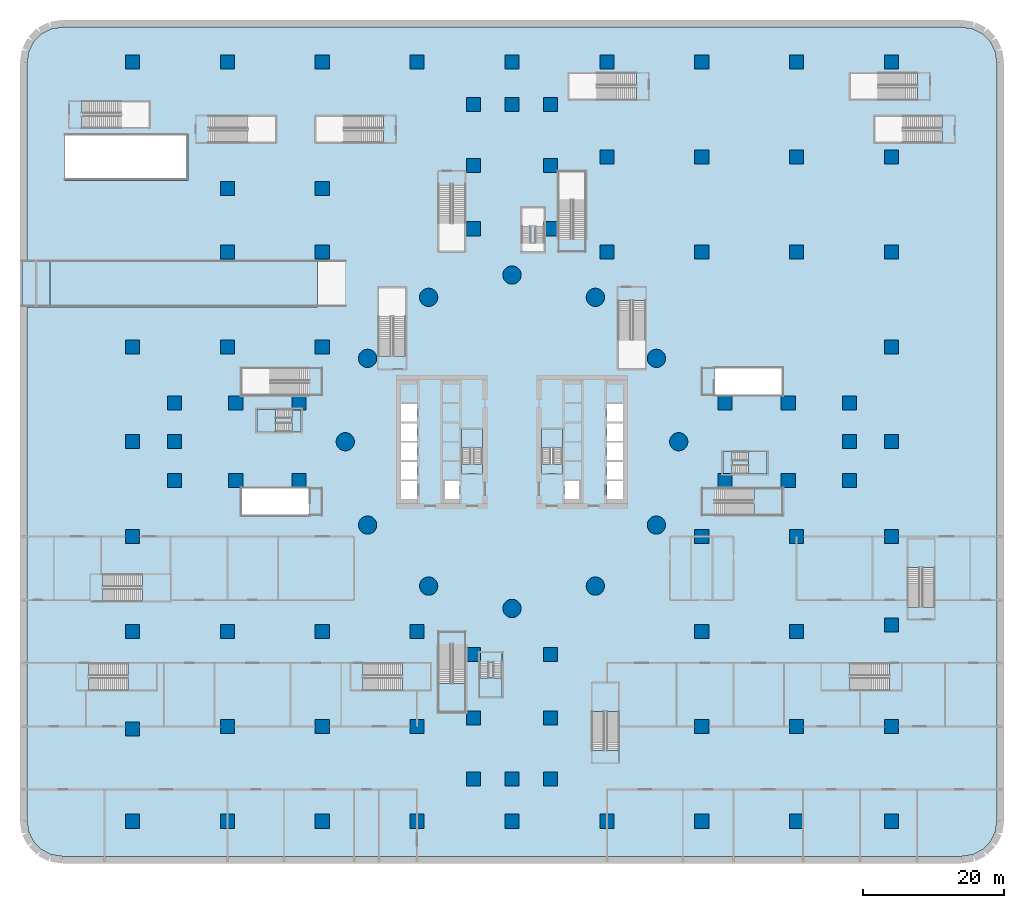
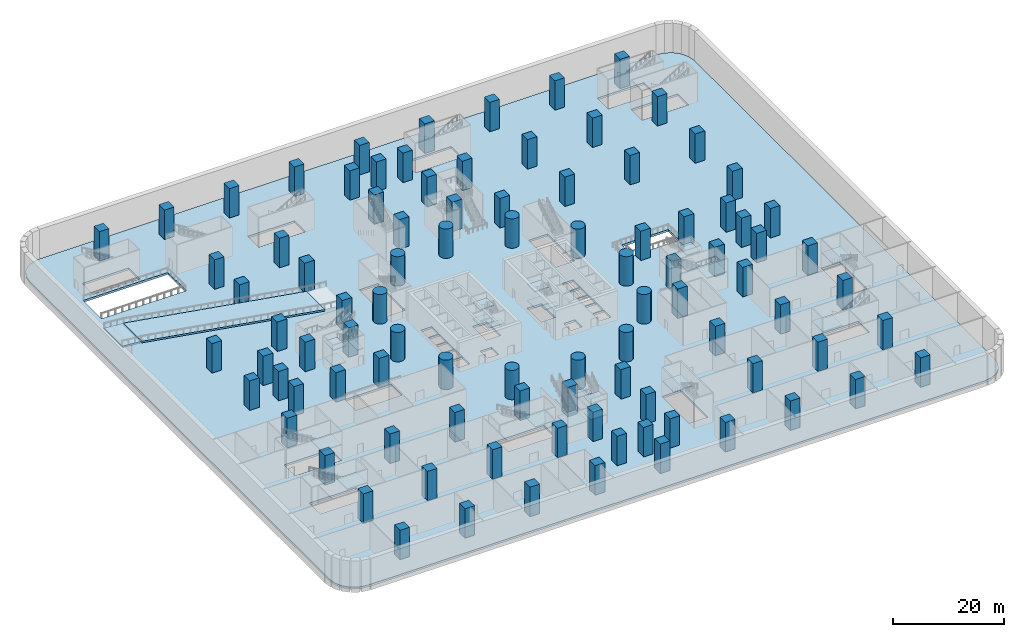
# One storey, part 1 of 37: 94 columns, 26 slabs, 13 elements without a shape of their own.
"""IFC4 building model written with IfcOpenShell, lengths in metres."""

from ifc_helpers import new_model, si_unit, direction, frame, origin, origin_2d, place, context, subcontext, project, spatial, polyline, rectangle, circle, outline, extrude, material, layer, layer_set, material_profile, profile_set, type_object, element, aggregate, save


model = new_model("IFC4")

# Units and contexts
model_context = context("Model", 3, precision=1e-05, world=origin(), true_north=direction((0.0, 1.0)))
body_context = subcontext(model_context, "Body", "Model", "MODEL_VIEW")
ifc_project = project(units=[si_unit("LENGTHUNIT", "METRE"), si_unit("AREAUNIT", "SQUARE_METRE"), si_unit("VOLUMEUNIT", "CUBIC_METRE"), si_unit("PLANEANGLEUNIT", "RADIAN"), si_unit("MASSUNIT", "GRAM", prefix="KILO")], contexts=[model_context])

# Site, building, storey
site_placement = place(None, origin())
site = spatial("IfcSite", under=ifc_project, at=site_placement, CompositionType="ELEMENT")
building_placement = place(site_placement, origin())
building = spatial("IfcBuilding", under=site, at=building_placement, Name="Tamarind Cross Interchange Tower", CompositionType="ELEMENT")
storey_placement = place(building_placement, frame((0.0, 0.0, -7.0)))
storey = spatial("IfcBuildingStorey", under=building, at=storey_placement, Name="B1", CompositionType="ELEMENT", Elevation=-7.0)

# Columns
ifc_material_1 = material(Name="Concrete C70", Category="concrete")
ifc_material_profile_1 = material_profile(ifc_material_1, rectangle(XDim=2.0, YDim=2.0, at=origin_2d()), Name="RC 2000x2000")
ifc_profile_set_1 = profile_set([ifc_material_profile_1], Name="Concrete C70")
column_type_1 = type_object("IfcColumnType", Name="Column RC 2000x2000 Concrete C70", PredefinedType="COLUMN", material=ifc_profile_set_1)
for number, where, z_axis, x_axis, name in (
    (1, (39.300048828125, 5.5, -0.449951171875), (0.0, 0.0, 1.0), (1.0, 0.0, 0.0), "Column E.ep0"),
    (2, (39.300048828125, -5.5, -0.449951171875), (0.0, 0.0, 1.0), (1.0, 0.0, 0.0), "Column E.em0"),
    (3, (30.300048828125, 5.5, -0.449951171875), (0.0, 0.0, 1.0), (1.0, 0.0, 0.0), "Column E.ep1"),
    (4, (30.300048828125, -5.5, -0.449951171875), (0.0, 0.0, 1.0), (1.0, 0.0, 0.0), "Column E.em1"),
    (5, (48.007568359375, -5.5, -0.449951171875), (0.0, 0.0, 1.0), (1.0, 0.0, 0.0), "Column E.t0"),
    (6, (48.007568359375, 0.0, -0.449951171875), (0.0, 0.0, 1.0), (1.0, 0.0, 0.0), "Column E.t1"),
    (7, (48.007568359375, 5.5, -0.449951171875), (0.0, 0.0, 1.0), (1.0, 0.0, 0.0), "Column E.t2"),
    (8, (-5.5, 39.300048828125, -0.449951171875), (0.0, 0.0, 1.0), (1.0, 0.0, 0.0), "Column N.ep0"),
    (9, (5.5, 39.300048828125, -0.449951171875), (0.0, 0.0, 1.0), (1.0, 0.0, 0.0), "Column N.em0"),
    (10, (-5.5, 30.300048828125, -0.449951171875), (0.0, 0.0, 1.0), (1.0, 0.0, 0.0), "Column N.ep1"),
    (11, (5.5, 30.300048828125, -0.449951171875), (0.0, 0.0, 1.0), (1.0, 0.0, 0.0), "Column N.em1"),
    (12, (5.5, 48.007568359375, -0.449951171875), (0.0, 0.0, 1.0), (1.0, 0.0, 0.0), "Column N.t0"),
    (13, (0.0, 48.007568359375, -0.449951171875), (0.0, 0.0, 1.0), (1.0, 0.0, 0.0), "Column N.t1"),
    (14, (-5.5, 48.007568359375, -0.449951171875), (0.0, 0.0, 1.0), (1.0, 0.0, 0.0), "Column N.t2"),
    (15, (-39.300048828125, -5.5, -0.449951171875), (0.0, 0.0, 1.0), (1.0, 0.0, 0.0), "Column W.ep0"),
    (16, (-39.300048828125, 5.5, -0.449951171875), (0.0, 0.0, 1.0), (1.0, 0.0, 0.0), "Column W.em0"),
    (17, (-30.300048828125, -5.5, -0.449951171875), (0.0, 0.0, 1.0), (1.0, 0.0, 0.0), "Column W.ep1"),
    (18, (-30.300048828125, 5.5, -0.449951171875), (0.0, 0.0, 1.0), (1.0, 0.0, 0.0), "Column W.em1"),
    (19, (-48.007568359375, 5.5, -0.449951171875), (0.0, 0.0, 1.0), (1.0, 0.0, 0.0), "Column W.t0"),
    (20, (-48.007568359375, 0.0, -0.449951171875), (0.0, 0.0, 1.0), (1.0, 0.0, 0.0), "Column W.t1"),
    (21, (-48.007568359375, -5.5, -0.449951171875), (0.0, 0.0, 1.0), (1.0, 0.0, 0.0), "Column W.t2"),
    (22, (5.5, -39.300048828125, -0.449951171875), (0.0, 0.0, 1.0), (1.0, 0.0, 0.0), "Column S.ep0"),
    (23, (-5.5, -39.300048828125, -0.449951171875), (0.0, 0.0, 1.0), (1.0, 0.0, 0.0), "Column S.em0"),
    (24, (5.5, -30.300048828125, -0.449951171875), (0.0, 0.0, 1.0), (1.0, 0.0, 0.0), "Column S.ep1"),
    (25, (-5.5, -30.300048828125, -0.449951171875), (0.0, 0.0, 1.0), (1.0, 0.0, 0.0), "Column S.em1"),
    (26, (-5.5, -48.007568359375, -0.449951171875), (0.0, 0.0, 1.0), (1.0, 0.0, 0.0), "Column S.t0"),
    (27, (0.0, -48.007568359375, -0.449951171875), (0.0, 0.0, 1.0), (1.0, 0.0, 0.0), "Column S.t1"),
    (28, (5.5, -48.007568359375, -0.449951171875), (0.0, 0.0, 1.0), (1.0, 0.0, 0.0), "Column S.t2"),
    (29, (-54.0, -54.0, -0.449951171875), (0.0, 0.0, 1.0), (1.0, 0.0, 0.0), "Column G01"),
    (30, (-54.0, -40.85009765625, -0.449951171875), (0.0, 0.0, 1.0), (1.0, 0.0, 0.0), "Column G02"),
    (31, (-54.0, -27.0, -0.449951171875), (0.0, 0.0, 1.0), (1.0, 0.0, 0.0), "Column G03"),
    (32, (-54.0, -13.5, -0.449951171875), (0.0, 0.0, 1.0), (1.0, 0.0, 0.0), "Column G04"),
    (33, (-54.0, 0.0, -0.449951171875), (0.0, 0.0, 1.0), (1.0, 0.0, 0.0), "Column G05"),
    (34, (-54.0, 13.5, -0.449951171875), (0.0, 0.0, 1.0), (1.0, 0.0, 0.0), "Column G06"),
    (35, (-54.0, 54.0, -0.449951171875), (0.0, 0.0, 1.0), (1.0, 0.0, 0.0), "Column G07"),
    (36, (-40.5, -54.0, -0.449951171875), (0.0, 0.0, 1.0), (1.0, 0.0, 0.0), "Column G08"),
    (37, (-40.5, -40.5, -0.449951171875), (0.0, 0.0, 1.0), (1.0, 0.0, 0.0), "Column G09"),
    (38, (-40.5, -27.0, -0.449951171875), (0.0, 0.0, 1.0), (1.0, 0.0, 0.0), "Column G10"),
    (39, (-40.5, 13.5, -0.449951171875), (0.0, 0.0, 1.0), (1.0, 0.0, 0.0), "Column G11"),
    (40, (-40.5, 27.0, -0.449951171875), (0.0, 0.0, 1.0), (1.0, 0.0, 0.0), "Column G12"),
    (41, (-40.5, 36.0, -0.449951171875), (0.0, 0.0, 1.0), (1.0, 0.0, 0.0), "Column G13"),
    (42, (-40.5, 54.0, -0.449951171875), (0.0, 0.0, 1.0), (1.0, 0.0, 0.0), "Column G14"),
    (43, (-27.0, -54.0, -0.449951171875), (0.0, 0.0, 1.0), (1.0, 0.0, 0.0), "Column G15"),
    (44, (-27.0, -40.5, -0.449951171875), (0.0, 0.0, 1.0), (1.0, 0.0, 0.0), "Column G16"),
    (45, (-27.0, -27.0, -0.449951171875), (0.0, 0.0, 1.0), (1.0, 0.0, 0.0), "Column G17"),
    (46, (-27.0, 13.5, -0.449951171875), (0.0, 0.0, 1.0), (1.0, 0.0, 0.0), "Column G18"),
    (47, (-27.0, 27.0, -0.449951171875), (0.0, 0.0, 1.0), (1.0, 0.0, 0.0), "Column G19"),
    (48, (-27.0, 36.0, -0.449951171875), (0.0, 0.0, 1.0), (1.0, 0.0, 0.0), "Column G20"),
    (49, (-27.0, 54.0, -0.449951171875), (0.0, 0.0, 1.0), (1.0, 0.0, 0.0), "Column G21"),
    (50, (-13.5, -54.0, -0.449951171875), (0.0, 0.0, 1.0), (1.0, 0.0, 0.0), "Column G22"),
    (51, (-13.5, -40.5, -0.449951171875), (0.0, 0.0, 1.0), (1.0, 0.0, 0.0), "Column G23"),
    (52, (-13.5, -27.0, -0.449951171875), (0.0, 0.0, 1.0), (1.0, 0.0, 0.0), "Column G24"),
    (53, (-13.5, 54.0, -0.449951171875), (0.0, 0.0, 1.0), (1.0, 0.0, 0.0), "Column G25"),
    (54, (0.0, -54.0, -0.449951171875), (0.0, 0.0, 1.0), (1.0, 0.0, 0.0), "Column G26"),
    (55, (0.0, 54.0, -0.449951171875), (0.0, 0.0, 1.0), (1.0, 0.0, 0.0), "Column G27"),
    (56, (13.5, -54.0, -0.449951171875), (0.0, 0.0, 1.0), (1.0, 0.0, 0.0), "Column G28"),
    (57, (13.5, 27.0, -0.449951171875), (0.0, 0.0, 1.0), (1.0, 0.0, 0.0), "Column G29"),
    (58, (13.5, 40.5, -0.449951171875), (0.0, 0.0, 1.0), (1.0, 0.0, 0.0), "Column G30"),
    (59, (13.5, 54.0, -0.449951171875), (0.0, 0.0, 1.0), (1.0, 0.0, 0.0), "Column G31"),
    (60, (27.0, -54.0, -0.449951171875), (0.0, 0.0, 1.0), (1.0, 0.0, 0.0), "Column G32"),
    (61, (27.0, -40.5, -0.449951171875), (0.0, 0.0, 1.0), (1.0, 0.0, 0.0), "Column G33"),
    (62, (27.0, -27.0, -0.449951171875), (0.0, 0.0, 1.0), (1.0, 0.0, 0.0), "Column G34"),
    (63, (27.0, -13.5, -0.449951171875), (0.0, 0.0, 1.0), (1.0, 0.0, 0.0), "Column G35"),
    (64, (27.0, 27.0, -0.449951171875), (0.0, 0.0, 1.0), (1.0, 0.0, 0.0), "Column G36"),
    (65, (27.0, 40.5, -0.449951171875), (0.0, 0.0, 1.0), (1.0, 0.0, 0.0), "Column G37"),
    (66, (27.0, 54.0, -0.449951171875), (0.0, 0.0, 1.0), (1.0, 0.0, 0.0), "Column G38"),
    (67, (40.5, -54.0, -0.449951171875), (0.0, 0.0, 1.0), (1.0, 0.0, 0.0), "Column G39"),
    (68, (40.5, -40.5, -0.449951171875), (0.0, 0.0, 1.0), (1.0, 0.0, 0.0), "Column G40"),
    (69, (40.5, -27.0, -0.449951171875), (0.0, 0.0, 1.0), (1.0, 0.0, 0.0), "Column G41"),
    (70, (40.5, -13.5, -0.449951171875), (0.0, 0.0, 1.0), (1.0, 0.0, 0.0), "Column G42"),
    (71, (40.5, 27.0, -0.449951171875), (0.0, 0.0, 1.0), (1.0, 0.0, 0.0), "Column G43"),
    (72, (40.5, 40.5, -0.449951171875), (0.0, 0.0, 1.0), (1.0, 0.0, 0.0), "Column G44"),
    (73, (40.5, 54.0, -0.449951171875), (0.0, 0.0, 1.0), (1.0, 0.0, 0.0), "Column G45"),
    (74, (54.0, -54.0, -0.449951171875), (0.0, 0.0, 1.0), (1.0, 0.0, 0.0), "Column G46"),
    (75, (54.0, -40.5, -0.449951171875), (0.0, 0.0, 1.0), (1.0, 0.0, 0.0), "Column G47"),
    (76, (54.0, -26.050048828125, -0.449951171875), (0.0, 0.0, 1.0), (1.0, 0.0, 0.0), "Column G48"),
    (77, (54.0, -13.5, -0.449951171875), (0.0, 0.0, 1.0), (1.0, 0.0, 0.0), "Column G49"),
    (78, (54.0, 0.0, -0.449951171875), (0.0, 0.0, 1.0), (1.0, 0.0, 0.0), "Column G50"),
    (79, (54.0, 13.5, -0.449951171875), (0.0, 0.0, 1.0), (1.0, 0.0, 0.0), "Column G51"),
    (80, (54.0, 27.0, -0.449951171875), (0.0, 0.0, 1.0), (1.0, 0.0, 0.0), "Column G52"),
    (81, (54.0, 40.5, -0.449951171875), (0.0, 0.0, 1.0), (1.0, 0.0, 0.0), "Column G53"),
    (82, (54.0, 54.0, -0.449951171875), (0.0, 0.0, 1.0), (1.0, 0.0, 0.0), "Column G54"),
):
    element("IfcColumn", number, at=place(storey_placement, frame(where, z_axis=z_axis, x_axis=x_axis)), inside=storey, type_object=column_type_1, Name=name, PredefinedType="COLUMN", context=body_context, shape_type="SweptSolid", body=[
        extrude(rectangle(XDim=2.0, YDim=2.0, at=origin_2d()), origin(), (0.0, 0.0, 1.0), 6.89990234375),
    ])
ifc_material_2 = material(Name="Concrete C80", Category="concrete")
ifc_material_profile_2 = material_profile(ifc_material_2, circle(Radius=1.300048828125, at=origin_2d()), Name="RC D2600")
ifc_profile_set_2 = profile_set([ifc_material_profile_2], Name="Concrete C80")
column_type_2 = type_object("IfcColumnType", Name="Column RC D2600 Concrete C80", PredefinedType="COLUMN", material=ifc_profile_set_2)
for number, where, z_axis, x_axis, name in (
    (83, (23.720703125, 0.0, -0.449951171875), (0.0, 0.0, 1.0), (1.0, 0.0, 0.0), "Ring column R01"),
    (84, (20.542724609375, 11.8603515625, -0.449951171875), (0.0, 0.0, 1.0), (1.0, 0.0, 0.0), "Ring column R02"),
    (85, (11.8603515625, 20.542724609375, -0.449951171875), (0.0, 0.0, 1.0), (1.0, 0.0, 0.0), "Ring column R03"),
    (86, (0.0, 23.720703125, -0.449951171875), (0.0, 0.0, 1.0), (1.0, 0.0, 0.0), "Ring column R04"),
    (87, (-11.8603515625, 20.542724609375, -0.449951171875), (0.0, 0.0, 1.0), (1.0, 0.0, 0.0), "Ring column R05"),
    (88, (-20.542724609375, 11.8603515625, -0.449951171875), (0.0, 0.0, 1.0), (1.0, 0.0, 0.0), "Ring column R06"),
    (89, (-23.720703125, 0.0, -0.449951171875), (0.0, 0.0, 1.0), (1.0, 0.0, 0.0), "Ring column R07"),
    (90, (-20.542724609375, -11.8603515625, -0.449951171875), (0.0, 0.0, 1.0), (1.0, 0.0, 0.0), "Ring column R08"),
    (91, (-11.8603515625, -20.542724609375, -0.449951171875), (0.0, 0.0, 1.0), (1.0, 0.0, 0.0), "Ring column R09"),
    (92, (0.0, -23.720703125, -0.449951171875), (0.0, 0.0, 1.0), (1.0, 0.0, 0.0), "Ring column R10"),
    (93, (11.8603515625, -20.542724609375, -0.449951171875), (0.0, 0.0, 1.0), (1.0, 0.0, 0.0), "Ring column R11"),
    (94, (20.542724609375, -11.8603515625, -0.449951171875), (0.0, 0.0, 1.0), (1.0, 0.0, 0.0), "Ring column R12"),
):
    element("IfcColumn", number, at=place(storey_placement, frame(where, z_axis=z_axis, x_axis=x_axis)), inside=storey, type_object=column_type_2, Name=name, PredefinedType="COLUMN", context=body_context, shape_type="SweptSolid", body=[
        extrude(circle(Radius=1.300048828125, at=origin_2d()), origin(), (0.0, 0.0, 1.0), 6.89990234375),
    ])

# Slabs
ifc_material_3 = material(Name="Concrete C40/50", Category="concrete")
ifc_layer_1 = layer(ifc_material_3, 0.35009765625)
ifc_layer_set_1 = layer_set([ifc_layer_1], Name="Concrete C40/50")
slab_type_1 = type_object("IfcSlabType", Name="Car park ramp slab", PredefinedType="LANDING", material=ifc_layer_set_1)
slab_1_placement = place(storey_placement, frame((-27.699951171875, 22.5, 0.0), z_axis=(0.0, 0.0, 1.0), x_axis=(-1.0, 0.0, 0.0)))
element("IfcSlab", 95, at=slab_1_placement, inside=storey, type_object=slab_type_1, Name="Car park ramp RA slab 2", PredefinedType="LANDING", context=body_context, shape_type="SweptSolid", body=[
    extrude(outline(polyline([(0.0, 0.0), (0.10009765625, 0.0), (38.0, 6.316650390625), (38.0, 6.666748046875), (0.0, 0.333251953125), (0.0, 0.0)])), frame((0.0, 3.300048828125, 0.0), z_axis=(0.0, -1.0, 0.0), x_axis=(1.0, 0.0, 0.0)), (0.0, 0.0, 1.0), 6.60009765625),
])
slab_2_placement = place(storey_placement, frame((-65.699951171875, 22.5, 0.0), z_axis=(0.0, 0.0, 1.0), x_axis=(-1.0, 0.0, 0.0)))
element("IfcSlab", 96, at=slab_2_placement, inside=storey, type_object=slab_type_1, Name="Car park ramp RA slab 3", PredefinedType="LANDING", context=body_context, shape_type="SweptSolid", body=[
    extrude(outline(polyline([(0.0, 6.316650390625), (4.0, 6.64990234375), (4.0, 7.0), (0.0, 6.666748046875), (0.0, 6.316650390625)])), frame((0.0, 3.300048828125, 0.0), z_axis=(0.0, -1.0, 0.0), x_axis=(1.0, 0.0, 0.0)), (0.0, 0.0, 1.0), 6.60009765625),
])
ifc_material_4 = material(Name="Concrete C40", Category="concrete")
ifc_layer_2 = layer(ifc_material_4, 0.449951171875)
ifc_layer_set_2 = layer_set([ifc_layer_2], Name="Concrete C40")
slab_type_2 = type_object("IfcSlabType", Name="Post-tensioned flat slab 450 Concrete C40", PredefinedType="FLOOR", material=ifc_layer_set_2)
slab_3_placement = place(storey_placement, frame((0.0, 0.0, -0.449951171875)))
element("IfcSlab", 97, at=slab_3_placement, inside=storey, type_object=slab_type_2, Name="Floor slab B1", PredefinedType="FLOOR", context=body_context, shape_type="SweptSolid", body=[
    extrude(outline(polyline([(-65.541259765625, -58.743408203125), (-63.92138671875, -59.0), (63.92138671875, -59.0), (65.541259765625, -58.743408203125), (66.931640625, -58.034912109375), (68.034912109375, -56.931640625), (68.743408203125, -55.541259765625), (69.0, -53.92138671875), (69.0, 53.92138671875), (68.743408203125, 55.541259765625), (68.034912109375, 56.931640625), (66.931640625, 58.034912109375), (65.541259765625, 58.743408203125), (63.92138671875, 59.0), (-63.92138671875, 59.0), (-65.541259765625, 58.743408203125), (-66.931640625, 58.034912109375), (-68.034912109375, 56.931640625), (-68.743408203125, 55.541259765625), (-69.0, 53.92138671875), (-69.0, -53.92138671875), (-68.743408203125, -55.541259765625), (-68.034912109375, -56.931640625), (-66.931640625, -58.034912109375), (-65.541259765625, -58.743408203125)]), holes=[polyline([(-50.5, -31.5), (-50.5, -35.39990234375), (-60.18798828125, -35.39990234375), (-60.18798828125, -31.5), (-50.5, -31.5)]), polyline([(-11.5, -35.39990234375), (-21.18798828125, -35.39990234375), (-21.18798828125, -31.5), (-11.5, -31.5), (-11.5, -35.39990234375)]), polyline([(-48.5, -22.75), (-58.18798828125, -22.75), (-58.18798828125, -18.85009765625), (-48.5, -18.85009765625), (-48.5, -22.75)]), polyline([(-38.5, -6.60009765625), (-28.81201171875, -6.60009765625), (-28.81201171875, -10.5), (-38.5, -10.5), (-38.5, -6.60009765625)]), polyline([(-13.5, -8.125), (-15.800048828125, -8.125), (-15.800048828125, -5.625), (-13.5, -5.625), (-13.5, -8.125)]), polyline([(-7.5, -8.125), (-9.800048828125, -8.125), (-9.800048828125, -5.625), (-7.5, -5.625), (-7.5, -8.125)]), polyline([(-13.5, -5.375), (-15.800048828125, -5.375), (-15.800048828125, -2.875), (-13.5, -2.875), (-13.5, -5.375)]), polyline([(-13.5, -2.625), (-15.800048828125, -2.625), (-15.800048828125, -0.125), (-13.5, -0.125), (-13.5, -2.625)]), polyline([(-4.199951171875, 1.800048828125), (-4.199951171875, -3.18798828125), (-7.14990234375, -3.18798828125), (-7.14990234375, 1.800048828125), (-4.199951171875, 1.800048828125)]), polyline([(-13.5, 0.125), (-15.800048828125, 0.125), (-15.800048828125, 2.625), (-13.5, 2.625), (-13.5, 0.125)]), polyline([(-13.5, 2.875), (-15.800048828125, 2.875), (-15.800048828125, 5.375), (-13.5, 5.375), (-13.5, 2.875)]), polyline([(-15.10009765625, 21.89990234375), (-15.10009765625, 12.2119140625), (-19.0, 12.2119140625), (-19.0, 21.89990234375), (-15.10009765625, 21.89990234375)]), polyline([(-46.10009765625, 43.800048828125), (-46.10009765625, 37.199951171875), (-63.699951171875, 37.199951171875), (-63.699951171875, 43.800048828125), (-46.10009765625, 43.800048828125)]), polyline([(-28.0, 46.39990234375), (-18.31201171875, 46.39990234375), (-18.31201171875, 42.5), (-28.0, 42.5), (-28.0, 46.39990234375)]), polyline([(-51.5, 44.60009765625), (-61.18798828125, 44.60009765625), (-61.18798828125, 48.5), (-51.5, 48.5), (-51.5, 44.60009765625)]), polyline([(11.35009765625, -34.25), (15.25, -34.25), (15.25, -43.93798828125), (11.35009765625, -43.93798828125), (11.35009765625, -34.25)]), polyline([(44.0, -31.5), (53.68798828125, -31.5), (53.68798828125, -35.39990234375), (44.0, -35.39990234375), (44.0, -31.5)]), polyline([(60.14990234375, -13.800048828125), (60.14990234375, -23.488037109375), (56.25, -23.488037109375), (56.25, -13.800048828125), (60.14990234375, -13.800048828125)]), polyline([(7.5, -5.625), (9.800048828125, -5.625), (9.800048828125, -8.125), (7.5, -8.125), (7.5, -5.625)]), polyline([(13.5, -5.625), (15.800048828125, -5.625), (15.800048828125, -8.125), (13.5, -8.125), (13.5, -5.625)]), polyline([(13.5, -2.875), (15.800048828125, -2.875), (15.800048828125, -5.375), (13.5, -5.375), (13.5, -2.875)]), polyline([(13.5, -0.125), (15.800048828125, -0.125), (15.800048828125, -2.625), (13.5, -2.625), (13.5, -0.125)]), polyline([(7.14990234375, 1.800048828125), (7.14990234375, -3.18798828125), (4.199951171875, -3.18798828125), (4.199951171875, 1.800048828125), (7.14990234375, 1.800048828125)]), polyline([(13.5, 2.625), (15.800048828125, 2.625), (15.800048828125, 0.125), (13.5, 0.125), (13.5, 2.625)]), polyline([(13.5, 5.375), (15.800048828125, 5.375), (15.800048828125, 2.875), (13.5, 2.875), (13.5, 5.375)]), polyline([(38.5, 6.60009765625), (28.81201171875, 6.60009765625), (28.81201171875, 10.5), (38.5, 10.5), (38.5, 6.60009765625)]), polyline([(15.10009765625, 10.39990234375), (15.10009765625, 20.087890625), (19.0, 20.087890625), (19.0, 10.39990234375), (15.10009765625, 10.39990234375)]), polyline([(51.5, 46.39990234375), (61.18798828125, 46.39990234375), (61.18798828125, 42.5), (51.5, 42.5), (51.5, 46.39990234375)]), polyline([(8.0, 52.5), (17.68798828125, 52.5), (17.68798828125, 48.60009765625), (8.0, 48.60009765625), (8.0, 52.5)]), polyline([(48.0, 52.5), (57.68798828125, 52.5), (57.68798828125, 48.60009765625), (48.0, 48.60009765625), (48.0, 52.5)])]), origin(), (0.0, 0.0, 1.0), 0.449951171875),
])

# Stair, slab
ifc_material_5 = material(Name="Public stair")
stair_type_1 = type_object("IfcStairType", Name="Public stair", PredefinedType="HALF_TURN_STAIR", material=ifc_material_5)
stair_1_placement = place(storey_placement, origin())
stair_1 = element("IfcStair", 98, at=stair_1_placement, inside=storey, type_object=stair_type_1, Name="B1 public stair PS-E", PredefinedType="HALF_TURN_STAIR")
ifc_layer_3 = layer(ifc_material_4, 0.199951171875)
ifc_layer_set_3 = layer_set([ifc_layer_3], Name="Concrete C40")
slab_type_3 = type_object("IfcSlabType", Name="Public stair landing", PredefinedType="LANDING", material=ifc_layer_set_3)
slab_4_placement = place(storey_placement, frame((0.0, 0.0, 3.300048828125)))
slab_4 = element("IfcSlab", 99, at=slab_4_placement, type_object=slab_type_3, Name="PS-E landing 1", PredefinedType="LANDING", context=body_context, shape_type="SweptSolid", body=[
    extrude(outline(polyline([(34.39990234375, -10.5), (38.5, -10.5), (38.5, -6.60009765625), (34.39990234375, -6.60009765625), (34.39990234375, -10.5)])), origin(), (0.0, 0.0, 1.0), 0.199951171875),
])
aggregate(stair_1, [slab_4])

stair_2_placement = place(storey_placement, origin())
stair_2 = element("IfcStair", 100, at=stair_2_placement, inside=storey, type_object=stair_type_1, Name="B1 public stair PS-S", PredefinedType="HALF_TURN_STAIR")
slab_5_placement = place(storey_placement, frame((0.0, 0.0, 3.300048828125)))
slab_5 = element("IfcSlab", 101, at=slab_5_placement, type_object=slab_type_3, Name="PS-S landing 1", PredefinedType="LANDING", context=body_context, shape_type="SweptSolid", body=[
    extrude(outline(polyline([(-10.5, -34.39990234375), (-10.5, -38.5), (-6.60009765625, -38.5), (-6.60009765625, -34.39990234375), (-10.5, -34.39990234375)])), origin(), (0.0, 0.0, 1.0), 0.199951171875),
])
aggregate(stair_2, [slab_5])

stair_3_placement = place(storey_placement, origin())
stair_3 = element("IfcStair", 102, at=stair_3_placement, inside=storey, type_object=stair_type_1, Name="B1 exit stair XS-P07", PredefinedType="HALF_TURN_STAIR")
slab_6_placement = place(storey_placement, frame((0.0, 0.0, 3.300048828125)))
slab_6 = element("IfcSlab", 103, at=slab_6_placement, type_object=slab_type_3, Name="XS-P07 landing 1", PredefinedType="LANDING", context=body_context, shape_type="SweptSolid", body=[
    extrude(outline(polyline([(-54.60009765625, -35.39990234375), (-50.5, -35.39990234375), (-50.5, -31.5), (-54.60009765625, -31.5), (-54.60009765625, -35.39990234375)])), origin(), (0.0, 0.0, 1.0), 0.199951171875),
])
aggregate(stair_3, [slab_6])

stair_4_placement = place(storey_placement, origin())
stair_4 = element("IfcStair", 104, at=stair_4_placement, inside=storey, type_object=stair_type_1, Name="B1 exit stair XS-P08", PredefinedType="HALF_TURN_STAIR")
slab_7_placement = place(storey_placement, frame((0.0, 0.0, 3.300048828125)))
slab_7 = element("IfcSlab", 105, at=slab_7_placement, type_object=slab_type_3, Name="XS-P08 landing 1", PredefinedType="LANDING", context=body_context, shape_type="SweptSolid", body=[
    extrude(outline(polyline([(-52.60009765625, -22.75), (-48.5, -22.75), (-48.5, -18.85009765625), (-52.60009765625, -18.85009765625), (-52.60009765625, -22.75)])), origin(), (0.0, 0.0, 1.0), 0.199951171875),
])
aggregate(stair_4, [slab_7])

stair_5_placement = place(storey_placement, origin())
stair_5 = element("IfcStair", 106, at=stair_5_placement, inside=storey, type_object=stair_type_1, Name="B1 exit stair XS-P09", PredefinedType="HALF_TURN_STAIR")
slab_8_placement = place(storey_placement, frame((0.0, 0.0, 3.300048828125)))
slab_8 = element("IfcSlab", 107, at=slab_8_placement, type_object=slab_type_3, Name="XS-P09 landing 1", PredefinedType="LANDING", context=body_context, shape_type="SweptSolid", body=[
    extrude(outline(polyline([(-15.60009765625, -35.39990234375), (-11.5, -35.39990234375), (-11.5, -31.5), (-15.60009765625, -31.5), (-15.60009765625, -35.39990234375)])), origin(), (0.0, 0.0, 1.0), 0.199951171875),
])
aggregate(stair_5, [slab_8])

stair_6_placement = place(storey_placement, origin())
stair_6 = element("IfcStair", 108, at=stair_6_placement, inside=storey, type_object=stair_type_1, Name="B1 exit stair XS-P10", PredefinedType="HALF_TURN_STAIR")
slab_9_placement = place(storey_placement, frame((0.0, 0.0, 3.300048828125)))
slab_9 = element("IfcSlab", 109, at=slab_9_placement, type_object=slab_type_3, Name="XS-P10 landing 1", PredefinedType="LANDING", context=body_context, shape_type="SweptSolid", body=[
    extrude(outline(polyline([(48.10009765625, -31.5), (44.0, -31.5), (44.0, -35.39990234375), (48.10009765625, -35.39990234375), (48.10009765625, -31.5)])), origin(), (0.0, 0.0, 1.0), 0.199951171875),
])
aggregate(stair_6, [slab_9])

stair_7_placement = place(storey_placement, origin())
stair_7 = element("IfcStair", 110, at=stair_7_placement, inside=storey, type_object=stair_type_1, Name="B1 exit stair XS-P11", PredefinedType="HALF_TURN_STAIR")
slab_10_placement = place(storey_placement, frame((0.0, 0.0, 3.300048828125)))
slab_10 = element("IfcSlab", 111, at=slab_10_placement, type_object=slab_type_3, Name="XS-P11 landing 1", PredefinedType="LANDING", context=body_context, shape_type="SweptSolid", body=[
    extrude(outline(polyline([(60.14990234375, -17.89990234375), (60.14990234375, -13.800048828125), (56.25, -13.800048828125), (56.25, -17.89990234375), (60.14990234375, -17.89990234375)])), origin(), (0.0, 0.0, 1.0), 0.199951171875),
])
aggregate(stair_7, [slab_10])

stair_8_placement = place(storey_placement, origin())
stair_8 = element("IfcStair", 112, at=stair_8_placement, inside=storey, type_object=stair_type_1, Name="B1 exit stair XS-P12", PredefinedType="HALF_TURN_STAIR")
slab_11_placement = place(storey_placement, frame((0.0, 0.0, 3.300048828125)))
slab_11 = element("IfcSlab", 113, at=slab_11_placement, type_object=slab_type_3, Name="XS-P12 landing 1", PredefinedType="LANDING", context=body_context, shape_type="SweptSolid", body=[
    extrude(outline(polyline([(15.25, -38.35009765625), (15.25, -34.25), (11.35009765625, -34.25), (11.35009765625, -38.35009765625), (15.25, -38.35009765625)])), origin(), (0.0, 0.0, 1.0), 0.199951171875),
])
aggregate(stair_8, [slab_11])

# Stair, slabs
ifc_material_6 = material(Name="Exit stair")
stair_type_2 = type_object("IfcStairType", Name="Exit stair", PredefinedType="HALF_TURN_STAIR", material=ifc_material_6)
stair_9_placement = place(storey_placement, origin())
stair_9 = element("IfcStair", 114, at=stair_9_placement, inside=storey, type_object=stair_type_2, Name="B1 exit stair ST1", PredefinedType="HALF_TURN_STAIR")
ifc_layer_4 = layer(ifc_material_4, 0.199951171875)
ifc_layer_set_4 = layer_set([ifc_layer_4], Name="Concrete C40")
slab_type_4 = type_object("IfcSlabType", Name="Stair landing", PredefinedType="LANDING", material=ifc_layer_set_4)
slab_12_placement = place(storey_placement, frame((0.0, 0.0, 1.550048828125)))
slab_12 = element("IfcSlab", 115, at=slab_12_placement, type_object=slab_type_4, Name="ST1 landing 1", PredefinedType="LANDING", context=body_context, shape_type="SweptSolid", body=[
    extrude(outline(polyline([(-4.199951171875, -0.860107421875), (-4.199951171875, 1.800048828125), (-7.14990234375, 1.800048828125), (-7.14990234375, -0.860107421875), (-4.199951171875, -0.860107421875)])), origin(), (0.0, 0.0, 1.0), 0.199951171875),
])
slab_13_placement = place(storey_placement, frame((0.0, 0.0, 3.300048828125)))
slab_13 = element("IfcSlab", 116, at=slab_13_placement, type_object=slab_type_4, Name="ST1 landing 2", PredefinedType="LANDING", context=body_context, shape_type="SweptSolid", body=[
    extrude(outline(polyline([(-4.199951171875, -4.5), (-4.199951171875, -3.199951171875), (-7.14990234375, -3.199951171875), (-7.14990234375, -4.5), (-4.199951171875, -4.5)])), origin(), (0.0, 0.0, 1.0), 0.199951171875),
])
slab_14_placement = place(storey_placement, frame((0.0, 0.0, 5.050048828125)))
slab_14 = element("IfcSlab", 117, at=slab_14_placement, type_object=slab_type_4, Name="ST1 landing 3", PredefinedType="LANDING", context=body_context, shape_type="SweptSolid", body=[
    extrude(outline(polyline([(-4.199951171875, -0.860107421875), (-4.199951171875, 1.800048828125), (-7.14990234375, 1.800048828125), (-7.14990234375, -0.860107421875), (-4.199951171875, -0.860107421875)])), origin(), (0.0, 0.0, 1.0), 0.199951171875),
])
aggregate(stair_9, [slab_12, slab_13, slab_14])

stair_10_placement = place(storey_placement, origin())
stair_10 = element("IfcStair", 118, at=stair_10_placement, inside=storey, type_object=stair_type_2, Name="B1 exit stair ST2", PredefinedType="HALF_TURN_STAIR")
slab_15_placement = place(storey_placement, frame((0.0, 0.0, 1.550048828125)))
slab_15 = element("IfcSlab", 119, at=slab_15_placement, type_object=slab_type_4, Name="ST2 landing 1", PredefinedType="LANDING", context=body_context, shape_type="SweptSolid", body=[
    extrude(outline(polyline([(7.14990234375, -0.860107421875), (7.14990234375, 1.800048828125), (4.199951171875, 1.800048828125), (4.199951171875, -0.860107421875), (7.14990234375, -0.860107421875)])), origin(), (0.0, 0.0, 1.0), 0.199951171875),
])
slab_16_placement = place(storey_placement, frame((0.0, 0.0, 3.300048828125)))
slab_16 = element("IfcSlab", 120, at=slab_16_placement, type_object=slab_type_4, Name="ST2 landing 2", PredefinedType="LANDING", context=body_context, shape_type="SweptSolid", body=[
    extrude(outline(polyline([(7.14990234375, -4.5), (7.14990234375, -3.199951171875), (4.199951171875, -3.199951171875), (4.199951171875, -4.5), (7.14990234375, -4.5)])), origin(), (0.0, 0.0, 1.0), 0.199951171875),
])
slab_17_placement = place(storey_placement, frame((0.0, 0.0, 5.050048828125)))
slab_17 = element("IfcSlab", 121, at=slab_17_placement, type_object=slab_type_4, Name="ST2 landing 3", PredefinedType="LANDING", context=body_context, shape_type="SweptSolid", body=[
    extrude(outline(polyline([(7.14990234375, -0.860107421875), (7.14990234375, 1.800048828125), (4.199951171875, 1.800048828125), (4.199951171875, -0.860107421875), (7.14990234375, -0.860107421875)])), origin(), (0.0, 0.0, 1.0), 0.199951171875),
])
aggregate(stair_10, [slab_15, slab_16, slab_17])

stair_11_placement = place(storey_placement, origin())
stair_11 = element("IfcStair", 122, at=stair_11_placement, inside=storey, type_object=stair_type_2, Name="B1 exit stair ST3", PredefinedType="HALF_TURN_STAIR")
slab_18_placement = place(storey_placement, frame((0.0, 0.0, 1.550048828125)))
slab_18 = element("IfcSlab", 123, at=slab_18_placement, type_object=slab_type_4, Name="ST3 landing 1", PredefinedType="LANDING", context=body_context, shape_type="SweptSolid", body=[
    extrude(outline(polyline([(33.6279296875, -4.60009765625), (36.300048828125, -4.60009765625), (36.300048828125, -1.39990234375), (33.6279296875, -1.39990234375), (33.6279296875, -4.60009765625)])), origin(), (0.0, 0.0, 1.0), 0.199951171875),
])
slab_19_placement = place(storey_placement, frame((0.0, 0.0, 3.300048828125)))
slab_19 = element("IfcSlab", 124, at=slab_19_placement, type_object=slab_type_4, Name="ST3 landing 2", PredefinedType="LANDING", context=body_context, shape_type="SweptSolid", body=[
    extrude(outline(polyline([(30.0, -4.60009765625), (31.31201171875, -4.60009765625), (31.31201171875, -1.39990234375), (30.0, -1.39990234375), (30.0, -4.60009765625)])), origin(), (0.0, 0.0, 1.0), 0.199951171875),
])
slab_20_placement = place(storey_placement, frame((0.0, 0.0, 5.050048828125)))
slab_20 = element("IfcSlab", 125, at=slab_20_placement, type_object=slab_type_4, Name="ST3 landing 3", PredefinedType="LANDING", context=body_context, shape_type="SweptSolid", body=[
    extrude(outline(polyline([(33.6279296875, -4.60009765625), (36.300048828125, -4.60009765625), (36.300048828125, -1.39990234375), (33.6279296875, -1.39990234375), (33.6279296875, -4.60009765625)])), origin(), (0.0, 0.0, 1.0), 0.199951171875),
])
aggregate(stair_11, [slab_18, slab_19, slab_20])

stair_12_placement = place(storey_placement, origin())
stair_12 = element("IfcStair", 126, at=stair_12_placement, inside=storey, type_object=stair_type_2, Name="B1 exit stair ST5", PredefinedType="HALF_TURN_STAIR")
slab_21_placement = place(storey_placement, frame((0.0, 0.0, 1.550048828125)))
slab_21 = element("IfcSlab", 127, at=slab_21_placement, type_object=slab_type_4, Name="ST5 landing 1", PredefinedType="LANDING", context=body_context, shape_type="SweptSolid", body=[
    extrude(outline(polyline([(-33.6279296875, 4.60009765625), (-36.300048828125, 4.60009765625), (-36.300048828125, 1.39990234375), (-33.6279296875, 1.39990234375), (-33.6279296875, 4.60009765625)])), origin(), (0.0, 0.0, 1.0), 0.199951171875),
])
slab_22_placement = place(storey_placement, frame((0.0, 0.0, 3.300048828125)))
slab_22 = element("IfcSlab", 128, at=slab_22_placement, type_object=slab_type_4, Name="ST5 landing 2", PredefinedType="LANDING", context=body_context, shape_type="SweptSolid", body=[
    extrude(outline(polyline([(-30.0, 4.60009765625), (-31.31201171875, 4.60009765625), (-31.31201171875, 1.39990234375), (-30.0, 1.39990234375), (-30.0, 4.60009765625)])), origin(), (0.0, 0.0, 1.0), 0.199951171875),
])
slab_23_placement = place(storey_placement, frame((0.0, 0.0, 5.050048828125)))
slab_23 = element("IfcSlab", 129, at=slab_23_placement, type_object=slab_type_4, Name="ST5 landing 3", PredefinedType="LANDING", context=body_context, shape_type="SweptSolid", body=[
    extrude(outline(polyline([(-33.6279296875, 4.60009765625), (-36.300048828125, 4.60009765625), (-36.300048828125, 1.39990234375), (-33.6279296875, 1.39990234375), (-33.6279296875, 4.60009765625)])), origin(), (0.0, 0.0, 1.0), 0.199951171875),
])
aggregate(stair_12, [slab_21, slab_22, slab_23])

stair_13_placement = place(storey_placement, origin())
stair_13 = element("IfcStair", 130, at=stair_13_placement, inside=storey, type_object=stair_type_2, Name="B1 exit stair ST6", PredefinedType="HALF_TURN_STAIR")
slab_24_placement = place(storey_placement, frame((0.0, 0.0, 1.550048828125)))
slab_24 = element("IfcSlab", 131, at=slab_24_placement, type_object=slab_type_4, Name="ST6 landing 1", PredefinedType="LANDING", context=body_context, shape_type="SweptSolid", body=[
    extrude(outline(polyline([(-4.60009765625, -33.6279296875), (-4.60009765625, -36.300048828125), (-1.39990234375, -36.300048828125), (-1.39990234375, -33.6279296875), (-4.60009765625, -33.6279296875)])), origin(), (0.0, 0.0, 1.0), 0.199951171875),
])
slab_25_placement = place(storey_placement, frame((0.0, 0.0, 3.300048828125)))
slab_25 = element("IfcSlab", 132, at=slab_25_placement, type_object=slab_type_4, Name="ST6 landing 2", PredefinedType="LANDING", context=body_context, shape_type="SweptSolid", body=[
    extrude(outline(polyline([(-4.60009765625, -30.0), (-4.60009765625, -31.31201171875), (-1.39990234375, -31.31201171875), (-1.39990234375, -30.0), (-4.60009765625, -30.0)])), origin(), (0.0, 0.0, 1.0), 0.199951171875),
])
slab_26_placement = place(storey_placement, frame((0.0, 0.0, 5.050048828125)))
slab_26 = element("IfcSlab", 133, at=slab_26_placement, type_object=slab_type_4, Name="ST6 landing 3", PredefinedType="LANDING", context=body_context, shape_type="SweptSolid", body=[
    extrude(outline(polyline([(-4.60009765625, -33.6279296875), (-4.60009765625, -36.300048828125), (-1.39990234375, -36.300048828125), (-1.39990234375, -33.6279296875), (-4.60009765625, -33.6279296875)])), origin(), (0.0, 0.0, 1.0), 0.199951171875),
])
aggregate(stair_13, [slab_24, slab_25, slab_26])

save(model, "model.ifc")
